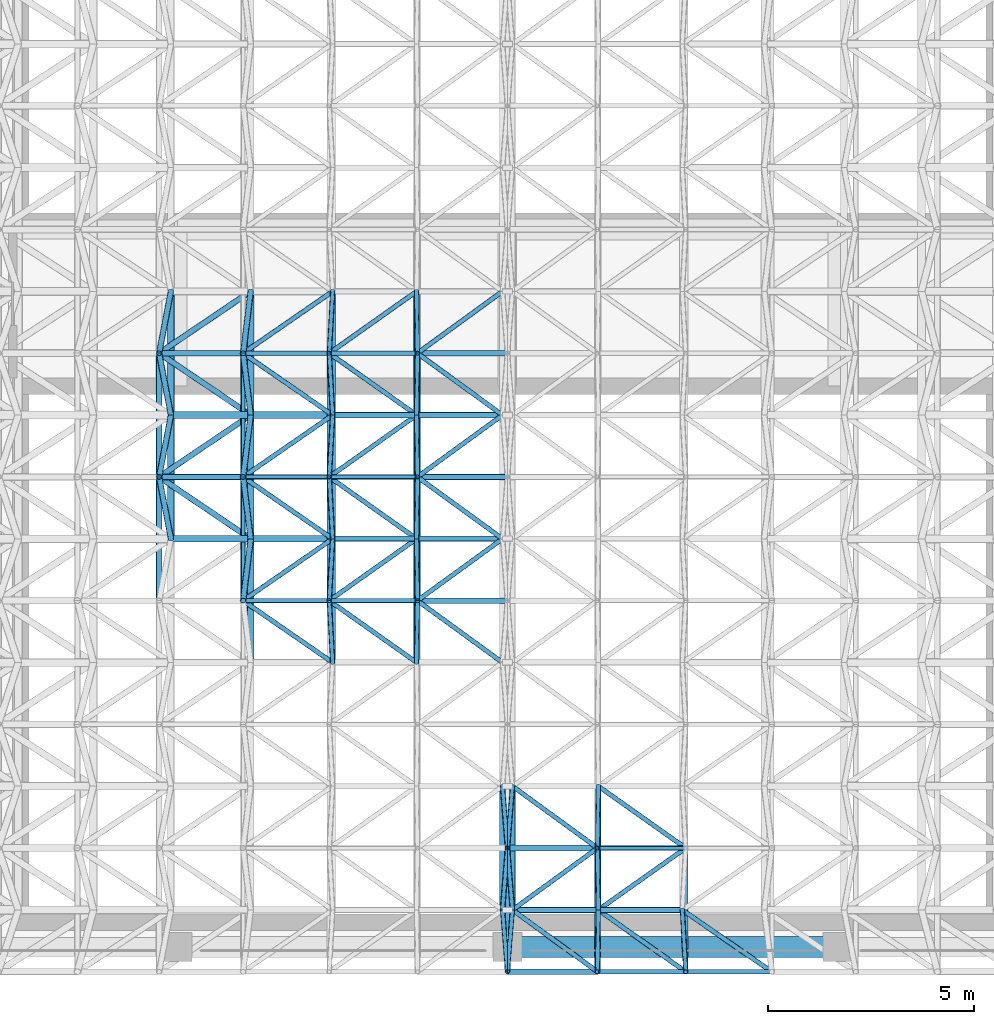
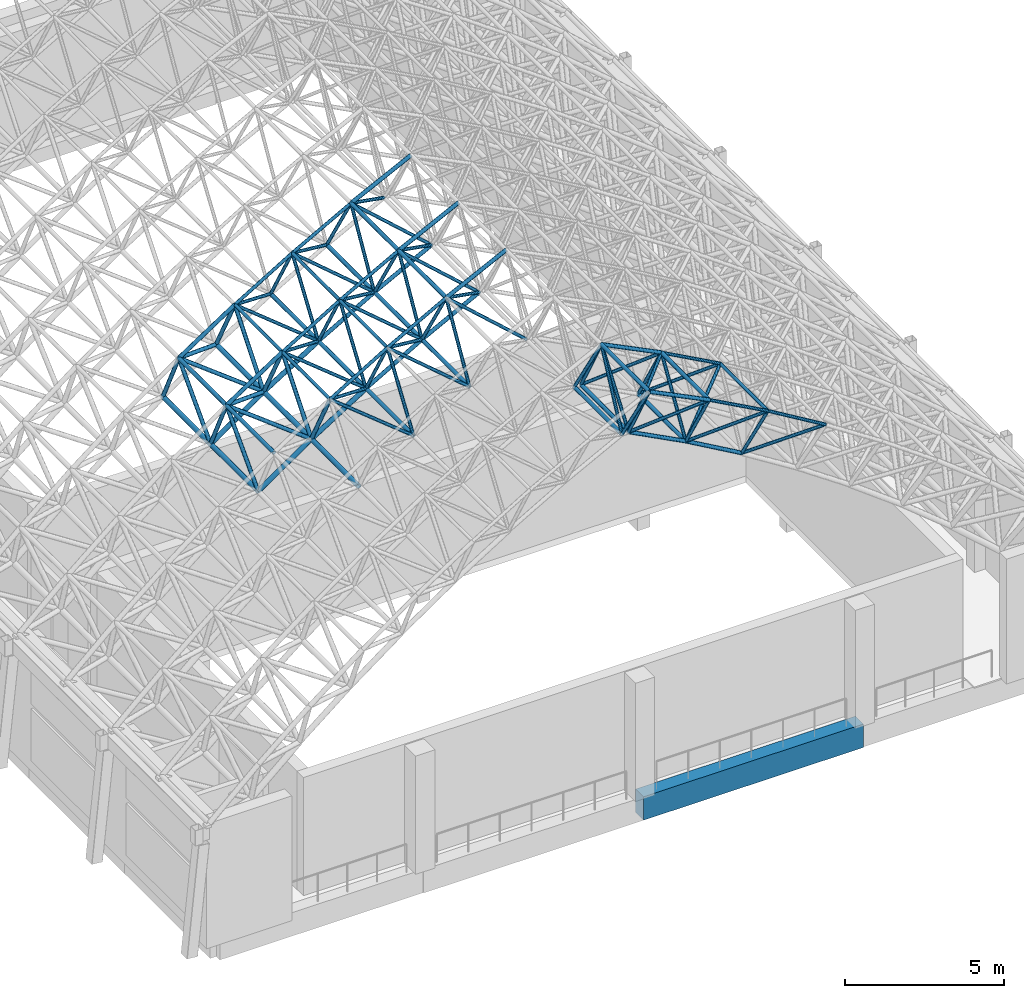
# One storey, part 11 of 141: 111 members, 1 beam.
"""IFC4 building model written with IfcOpenShell, lengths in metres."""

from ifc_helpers import new_model, si_unit, direction, frame, origin, origin_2d, place, context, subcontext, project, spatial, rectangle, hollow_circle, extrude, material, material_profile, profile_set, type_object, element, save


model = new_model("IFC4")

# Units and contexts
model_context = context("Model", 3, precision=1e-05, world=origin(), true_north=direction((0.0, 1.0)))
body_context = subcontext(model_context, "Body", "Model", "MODEL_VIEW")
ifc_project = project(units=[si_unit("LENGTHUNIT", "METRE"), si_unit("AREAUNIT", "SQUARE_METRE"), si_unit("VOLUMEUNIT", "CUBIC_METRE"), si_unit("PLANEANGLEUNIT", "RADIAN"), si_unit("MASSUNIT", "GRAM", prefix="KILO")], contexts=[model_context])

# Site, building, storey
site_placement = place(None, origin())
site = spatial("IfcSite", under=ifc_project, at=site_placement, CompositionType="ELEMENT")
building_placement = place(site_placement, origin())
building = spatial("IfcBuilding", under=site, at=building_placement, Name="Lantern Court Media Centre", CompositionType="ELEMENT")
storey_placement = place(building_placement, frame((0.0, 0.0, 9.60009765625)))
storey = spatial("IfcBuildingStorey", under=building, at=storey_placement, Name="L02", CompositionType="ELEMENT", Elevation=9.60009765625)

# Members
ifc_material_1 = material(Name="Steel S355J2 (EN 10025-2)", Category="steel")
ifc_material_profile_1 = material_profile(ifc_material_1, hollow_circle(Radius=0.06982421875, WallThickness=0.0048828125, at=origin_2d()), Name="Cinema Hall bottom CHS 139.7x5")
ifc_profile_set_1 = profile_set([ifc_material_profile_1], Name="Steel S355J2 (EN 10025-2)")
member_type_1 = type_object("IfcMemberType", Name="Cinema Hall bottom CHS 139.7x5", PredefinedType="CHORD", material=ifc_profile_set_1)
for number, where, z_axis, x_axis, name in (
    (1, (15.87939453125, -0.5, 13.298583984375), (0.0, 1.0, 0.0), (-1.0, 0.0, 0.0), "Cinema Hall bottom chord 08-01"),
    (2, (16.12060546875, -0.5, 13.298583984375), (0.0, 1.0, 0.0), (-1.0, 0.0, 0.0), "Cinema Hall bottom chord 09-01"),
):
    element("IfcMember", number, at=place(storey_placement, frame(where, z_axis=z_axis, x_axis=x_axis)), inside=storey, type_object=member_type_1, Name=name, PredefinedType="CHORD", context=body_context, shape_type="SweptSolid", body=[
        extrude(hollow_circle(Radius=0.06982421875, WallThickness=0.0048828125, at=origin_2d()), origin(), (0.0, 0.0, 1.0), 3.0),
    ])
ifc_material_profile_2 = material_profile(ifc_material_1, hollow_circle(Radius=0.06982421875, WallThickness=0.00634765625, at=origin_2d()), Name="Cinema Hall bottom CHS 139.7x6.3")
ifc_profile_set_2 = profile_set([ifc_material_profile_2], Name="Steel S355J2 (EN 10025-2)")
member_type_2 = type_object("IfcMemberType", Name="Cinema Hall bottom CHS 139.7x6.3", PredefinedType="CHORD", material=ifc_profile_set_2)
for number, where, z_axis, x_axis, name in (
    (3, (18.203125, -0.5, 12.21337890625), (0.0, 1.0, 0.0), (-1.0, 0.0, 0.0), "Cinema Hall bottom chord 10-01"),
    (4, (11.76025390625, 5.5, 11.04443359375), (0.0, 1.0, 0.0), (-1.0, 0.0, 0.0), "Cinema Hall bottom chord 06-03"),
    (5, (13.796875, 5.5, 12.21337890625), (0.0, 1.0, 0.0), (-1.0, 0.0, 0.0), "Cinema Hall bottom chord 07-03"),
    (6, (11.76025390625, 8.5, 11.04443359375), (0.0, 1.0, 0.0), (-1.0, 0.0, 0.0), "Cinema Hall bottom chord 06-04"),
    (7, (13.796875, 8.5, 12.21337890625), (0.0, 1.0, 0.0), (-1.0, 0.0, 0.0), "Cinema Hall bottom chord 07-04"),
    (8, (11.76025390625, 11.5, 11.04443359375), (0.0, 1.0, 0.0), (-1.0, 0.0, 0.0), "Cinema Hall bottom chord 06-05"),
    (9, (13.796875, 11.5, 12.21337890625), (0.0, 1.0, 0.0), (-1.0, 0.0, 0.0), "Cinema Hall bottom chord 07-05"),
):
    element("IfcMember", number, at=place(storey_placement, frame(where, z_axis=z_axis, x_axis=x_axis)), inside=storey, type_object=member_type_2, Name=name, PredefinedType="CHORD", context=body_context, shape_type="SweptSolid", body=[
        extrude(hollow_circle(Radius=0.06982421875, WallThickness=0.00634765625, at=origin_2d()), origin(), (0.0, 0.0, 1.0), 3.0),
    ])
member_1_placement = place(storey_placement, frame((16.12060546875, -0.5, 13.298583984375), z_axis=(0.88681645353, 0.0, -0.462121821329), x_axis=(0.0, 1.0, 0.0)))
element("IfcMember", 10, at=member_1_placement, inside=storey, type_object=member_type_2, Name="Cinema Hall bottom chord 09-01 across", PredefinedType="CHORD", context=body_context, shape_type="SweptSolid", body=[
    extrude(hollow_circle(Radius=0.06982421875, WallThickness=0.00634765625, at=origin_2d()), origin(), (0.0, 0.0, 1.0), 2.348388671875),
])
for number, where, z_axis, x_axis, name in (
    (11, (18.203125, -0.5, 12.21337890625), (0.867294659253, 0.0, -0.497795112503), (0.0, 1.0, 0.0), "Cinema Hall bottom chord 10-01 across"),
    (12, (11.76025390625, 8.5, 11.04443359375), (0.867294659253, 0.0, 0.497795112503), (0.0, 1.0, 0.0), "Cinema Hall bottom chord 06-04 across"),
):
    element("IfcMember", number, at=place(storey_placement, frame(where, z_axis=z_axis, x_axis=x_axis)), inside=storey, type_object=member_type_2, Name=name, PredefinedType="CHORD", context=body_context, shape_type="SweptSolid", body=[
        extrude(hollow_circle(Radius=0.06982421875, WallThickness=0.00634765625, at=origin_2d()), origin(), (0.0, 0.0, 1.0), 2.34814453125),
    ])
member_2_placement = place(storey_placement, frame((13.796875, 8.5, 12.21337890625), z_axis=(0.88681645353, 0.0, 0.462121821329), x_axis=(0.0, 1.0, 0.0)))
element("IfcMember", 13, at=member_2_placement, inside=storey, type_object=member_type_2, Name="Cinema Hall bottom chord 07-04 across", PredefinedType="CHORD", context=body_context, shape_type="SweptSolid", body=[
    extrude(hollow_circle(Radius=0.06982421875, WallThickness=0.00634765625, at=origin_2d()), origin(), (0.0, 0.0, 1.0), 2.348388671875),
])
member_3_placement = place(storey_placement, frame((11.76025390625, 11.5, 11.04443359375), z_axis=(0.867294659253, 0.0, 0.497795112503), x_axis=(0.0, 1.0, 0.0)))
element("IfcMember", 14, at=member_3_placement, inside=storey, type_object=member_type_2, Name="Cinema Hall bottom chord 06-05 across", PredefinedType="CHORD", context=body_context, shape_type="SweptSolid", body=[
    extrude(hollow_circle(Radius=0.06982421875, WallThickness=0.00634765625, at=origin_2d()), origin(), (0.0, 0.0, 1.0), 2.34814453125),
])
member_4_placement = place(storey_placement, frame((13.796875, 11.5, 12.21337890625), z_axis=(0.88681645353, 0.0, 0.462121821329), x_axis=(0.0, 1.0, 0.0)))
element("IfcMember", 15, at=member_4_placement, inside=storey, type_object=member_type_2, Name="Cinema Hall bottom chord 07-05 across", PredefinedType="CHORD", context=body_context, shape_type="SweptSolid", body=[
    extrude(hollow_circle(Radius=0.06982421875, WallThickness=0.00634765625, at=origin_2d()), origin(), (0.0, 0.0, 1.0), 2.348388671875),
])
ifc_material_profile_3 = material_profile(ifc_material_1, hollow_circle(Radius=0.084228515625, WallThickness=0.00634765625, at=origin_2d()), Name="Cinema Hall bottom CHS 168.3x6.3")
ifc_profile_set_3 = profile_set([ifc_material_profile_3], Name="Steel S355J2 (EN 10025-2)")
member_type_3 = type_object("IfcMemberType", Name="Cinema Hall bottom CHS 168.3x6.3", PredefinedType="CHORD", material=ifc_profile_set_3)
for number, where, z_axis, x_axis, name in (
    (16, (9.772705078125, 5.5, 9.7939453125), (0.0, 1.0, 0.0), (-1.0, 0.0, 0.0), "Cinema Hall bottom chord 05-03"),
    (17, (9.772705078125, 8.5, 9.7939453125), (0.0, 1.0, 0.0), (-1.0, 0.0, 0.0), "Cinema Hall bottom chord 05-04"),
    (18, (9.772705078125, 11.5, 9.7939453125), (0.0, 1.0, 0.0), (-1.0, 0.0, 0.0), "Cinema Hall bottom chord 05-05"),
):
    element("IfcMember", number, at=place(storey_placement, frame(where, z_axis=z_axis, x_axis=x_axis)), inside=storey, type_object=member_type_3, Name=name, PredefinedType="CHORD", context=body_context, shape_type="SweptSolid", body=[
        extrude(hollow_circle(Radius=0.084228515625, WallThickness=0.00634765625, at=origin_2d()), origin(), (0.0, 0.0, 1.0), 3.0),
    ])
for number, where, z_axis, x_axis, name in (
    (19, (9.772705078125, 8.5, 9.7939453125), (0.846411623189, 0.0, 0.532529214344), (0.0, 1.0, 0.0), "Cinema Hall bottom chord 05-04 across"),
    (20, (9.772705078125, 11.5, 9.7939453125), (0.846411623189, 0.0, 0.532529214344), (0.0, 1.0, 0.0), "Cinema Hall bottom chord 05-05 across"),
):
    element("IfcMember", number, at=place(storey_placement, frame(where, z_axis=z_axis, x_axis=x_axis)), inside=storey, type_object=member_type_3, Name=name, PredefinedType="CHORD", context=body_context, shape_type="SweptSolid", body=[
        extrude(hollow_circle(Radius=0.084228515625, WallThickness=0.00634765625, at=origin_2d()), origin(), (0.0, 0.0, 1.0), 2.34814453125),
    ])
ifc_material_profile_4 = material_profile(ifc_material_1, hollow_circle(Radius=0.084228515625, WallThickness=0.008056640625, at=origin_2d()), Name="Cinema Hall bottom CHS 168.3x8")
ifc_profile_set_4 = profile_set([ifc_material_profile_4], Name="Steel S355J2 (EN 10025-2)")
member_type_4 = type_object("IfcMemberType", Name="Cinema Hall bottom CHS 168.3x8", PredefinedType="CHORD", material=ifc_profile_set_4)
for number, where, z_axis, x_axis, name in (
    (21, (7.837646484375, 8.5, 8.463623046875), (0.0, 1.0, 0.0), (-1.0, 0.0, 0.0), "Cinema Hall bottom chord 04-04"),
    (22, (7.837646484375, 11.5, 8.463623046875), (0.0, 1.0, 0.0), (-1.0, 0.0, 0.0), "Cinema Hall bottom chord 04-05"),
):
    element("IfcMember", number, at=place(storey_placement, frame(where, z_axis=z_axis, x_axis=x_axis)), inside=storey, type_object=member_type_4, Name=name, PredefinedType="CHORD", context=body_context, shape_type="SweptSolid", body=[
        extrude(hollow_circle(Radius=0.084228515625, WallThickness=0.008056640625, at=origin_2d()), origin(), (0.0, 0.0, 1.0), 3.0),
    ])
for number, where, z_axis, x_axis, name in (
    (23, (7.837646484375, 8.5, 8.463623046875), (0.824047991233, 0.0, 0.56651999801), (0.0, 1.0, 0.0), "Cinema Hall bottom chord 04-04 across"),
    (24, (7.837646484375, 11.5, 8.463623046875), (0.824047991233, 0.0, 0.56651999801), (0.0, 1.0, 0.0), "Cinema Hall bottom chord 04-05 across"),
):
    element("IfcMember", number, at=place(storey_placement, frame(where, z_axis=z_axis, x_axis=x_axis)), inside=storey, type_object=member_type_4, Name=name, PredefinedType="CHORD", context=body_context, shape_type="SweptSolid", body=[
        extrude(hollow_circle(Radius=0.084228515625, WallThickness=0.008056640625, at=origin_2d()), origin(), (0.0, 0.0, 1.0), 2.34814453125),
    ])
ifc_material_profile_5 = material_profile(ifc_material_1, hollow_circle(Radius=0.05712890625, WallThickness=0.0048828125, at=origin_2d()), Name="Cinema Hall diagonal CHS 114.3x5")
ifc_profile_set_5 = profile_set([ifc_material_profile_5], Name="Steel S355J2 (EN 10025-2)")
member_type_5 = type_object("IfcMemberType", Name="Cinema Hall diagonal CHS 114.3x5", PredefinedType="BRACE", material=ifc_profile_set_5)
for number, where, z_axis, x_axis, name in (
    (25, (15.87939453125, -0.5, 13.298583984375), (0.041317175069, -0.513871910171, 0.85687137365), (0.996783215266, 0.080145004613, 0.0), "Cinema Hall diagonal 08-01-2"),
    (26, (15.87939453125, -0.5, 13.298583984375), (0.041317175069, 0.513871910171, 0.85687137365), (-0.996783215266, 0.080145004613, 0.0), "Cinema Hall diagonal 08-01-3"),
    (27, (16.12060546875, -0.5, 13.298583984375), (-0.041317175069, -0.513871910171, 0.85687137365), (0.996783215266, -0.080145004613, 0.0), "Cinema Hall diagonal 09-01-1"),
):
    element("IfcMember", number, at=place(storey_placement, frame(where, z_axis=z_axis, x_axis=x_axis)), inside=storey, type_object=member_type_5, Name=name, PredefinedType="BRACE", context=body_context, shape_type="SweptSolid", body=[
        extrude(hollow_circle(Radius=0.05712890625, WallThickness=0.0048828125, at=origin_2d()), origin(), (0.0, 0.0, 1.0), 2.9189453125),
    ])
for number, where, z_axis, x_axis, name in (
    (28, (16.12060546875, -0.5, 13.298583984375), (0.706879781117, -0.513851085564, 0.486084392789), (0.587989591395, 0.808868493892, 0.0), "Cinema Hall diagonal 09-01-2"),
    (29, (16.12060546875, -0.5, 13.298583984375), (0.706879781117, 0.513851085564, 0.486084392789), (-0.587989591395, 0.808868493892, 0.0), "Cinema Hall diagonal 09-01-3"),
):
    element("IfcMember", number, at=place(storey_placement, frame(where, z_axis=z_axis, x_axis=x_axis)), inside=storey, type_object=member_type_5, Name=name, PredefinedType="BRACE", context=body_context, shape_type="SweptSolid", body=[
        extrude(hollow_circle(Radius=0.05712890625, WallThickness=0.0048828125, at=origin_2d()), origin(), (0.0, 0.0, 1.0), 2.919189453125),
    ])
for number, where, z_axis, x_axis, name in (
    (30, (16.12060546875, -0.5, 13.298583984375), (-0.041317175069, 0.513871910171, 0.85687137365), (-0.996783215266, -0.080145004613, 0.0), "Cinema Hall diagonal 09-01-4"),
    (31, (15.87939453125, 2.5, 13.298583984375), (0.041317175069, -0.513871910171, 0.85687137365), (0.996783215266, 0.080145004613, 0.0), "Cinema Hall diagonal 08-02-2"),
    (32, (16.12060546875, 2.5, 13.298583984375), (-0.041317175069, -0.513871910171, 0.85687137365), (0.996783215266, -0.080145004613, 0.0), "Cinema Hall diagonal 09-02-1"),
):
    element("IfcMember", number, at=place(storey_placement, frame(where, z_axis=z_axis, x_axis=x_axis)), inside=storey, type_object=member_type_5, Name=name, PredefinedType="BRACE", context=body_context, shape_type="SweptSolid", body=[
        extrude(hollow_circle(Radius=0.05712890625, WallThickness=0.0048828125, at=origin_2d()), origin(), (0.0, 0.0, 1.0), 2.9189453125),
    ])
for number, where, z_axis, x_axis, name in (
    (33, (16.12060546875, 2.5, 13.298583984375), (0.706879781117, -0.513851085564, 0.486084392789), (0.587989591395, 0.808868493892, 0.0), "Cinema Hall diagonal 09-02-2"),
    (34, (15.87939453125, 5.5, 13.298583984375), (-0.706879781117, 0.513851085564, 0.486084392789), (-0.587989591395, -0.808868493892, 0.0), "Cinema Hall diagonal 08-03-4"),
    (35, (15.87939453125, 8.5, 13.298583984375), (-0.706879781117, -0.513851085564, 0.486084392789), (0.587989591395, -0.808868493892, 0.0), "Cinema Hall diagonal 08-04-1"),
    (36, (15.87939453125, 8.5, 13.298583984375), (-0.706879781117, 0.513851085564, 0.486084392789), (-0.587989591395, -0.808868493892, 0.0), "Cinema Hall diagonal 08-04-4"),
    (37, (15.87939453125, 11.5, 13.298583984375), (-0.706879781117, -0.513851085564, 0.486084392789), (0.587989591395, -0.808868493892, 0.0), "Cinema Hall diagonal 08-05-1"),
    (38, (15.87939453125, 11.5, 13.298583984375), (-0.706879781117, 0.513851085564, 0.486084392789), (-0.587989591395, -0.808868493892, 0.0), "Cinema Hall diagonal 08-05-4"),
    (39, (15.87939453125, 14.5, 13.298583984375), (-0.706879781117, -0.513851085564, 0.486084392789), (0.587989591395, -0.808868493892, 0.0), "Cinema Hall diagonal 08-06-1"),
):
    element("IfcMember", number, at=place(storey_placement, frame(where, z_axis=z_axis, x_axis=x_axis)), inside=storey, type_object=member_type_5, Name=name, PredefinedType="BRACE", context=body_context, shape_type="SweptSolid", body=[
        extrude(hollow_circle(Radius=0.05712890625, WallThickness=0.0048828125, at=origin_2d()), origin(), (0.0, 0.0, 1.0), 2.919189453125),
    ])
ifc_material_profile_6 = material_profile(ifc_material_1, hollow_circle(Radius=0.05712890625, WallThickness=0.00634765625, at=origin_2d()), Name="Cinema Hall diagonal CHS 114.3x6.3")
ifc_profile_set_6 = profile_set([ifc_material_profile_6], Name="Steel S355J2 (EN 10025-2)")
member_type_6 = type_object("IfcMemberType", Name="Cinema Hall diagonal CHS 114.3x6.3", PredefinedType="BRACE", material=ifc_profile_set_6)
for number, where, z_axis, x_axis, name in (
    (40, (18.203125, -0.5, 12.21337890625), (-0.006523580306, -0.513857402591, 0.857850810283), (0.99991942426, -0.012694289566, 0.0), "Cinema Hall diagonal 10-01-1"),
    (41, (18.203125, -0.5, 12.21337890625), (0.726033609038, -0.513852147671, 0.456980490702), (0.577701627838, 0.816248019411, 0.0), "Cinema Hall diagonal 10-01-2"),
    (42, (18.203125, -0.5, 12.21337890625), (0.726033609038, 0.513852147671, 0.456980490702), (-0.577701627838, 0.816248019411, 0.0), "Cinema Hall diagonal 10-01-3"),
    (43, (18.203125, -0.5, 12.21337890625), (-0.006523580306, 0.513857402591, 0.857850810283), (-0.99991942426, -0.012694289566, 0.0), "Cinema Hall diagonal 10-01-4"),
    (44, (20.23974609375, -0.5, 11.04443359375), (0.028351859734, -0.513846095007, 0.857413763999), (0.998481283351, 0.055091984872, 0.0), "Cinema Hall diagonal 11-01-1"),
    (45, (20.23974609375, -0.5, 11.04443359375), (0.744001537395, -0.513842788417, 0.427115091218), (0.568286154794, 0.822830994962, 0.0), "Cinema Hall diagonal 11-01-2"),
    (46, (18.203125, 2.5, 12.21337890625), (-0.006523580306, -0.513857402591, 0.857850810283), (0.99991942426, -0.012694289566, 0.0), "Cinema Hall diagonal 10-02-1"),
    (47, (18.203125, 2.5, 12.21337890625), (0.726033609038, -0.513852147671, 0.456980490702), (0.577701627838, 0.816248019411, 0.0), "Cinema Hall diagonal 10-02-2"),
    (48, (11.76025390625, 5.5, 11.04443359375), (-0.028351859734, 0.513846095007, 0.857413763999), (-0.998481283351, -0.055091984872, 0.0), "Cinema Hall diagonal 06-03-3"),
    (49, (11.76025390625, 5.5, 11.04443359375), (-0.744001537395, 0.513842788417, 0.427115091218), (-0.568286154794, -0.822830994962, 0.0), "Cinema Hall diagonal 06-03-4"),
    (50, (13.796875, 5.5, 12.21337890625), (0.006523580306, 0.513857402591, 0.857850810283), (-0.99991942426, 0.012694289566, 0.0), "Cinema Hall diagonal 07-03-3"),
    (51, (13.796875, 5.5, 12.21337890625), (-0.726033609038, 0.513852147671, 0.456980490702), (-0.577701627838, -0.816248019411, 0.0), "Cinema Hall diagonal 07-03-4"),
    (52, (11.76025390625, 8.5, 11.04443359375), (-0.744001537395, -0.513842788417, 0.427115091218), (0.568286154794, -0.822830994962, 0.0), "Cinema Hall diagonal 06-04-1"),
    (53, (11.76025390625, 8.5, 11.04443359375), (-0.028351859734, -0.513846095007, 0.857413763999), (0.998481283351, -0.055091984872, 0.0), "Cinema Hall diagonal 06-04-2"),
    (54, (11.76025390625, 8.5, 11.04443359375), (-0.028351859734, 0.513846095007, 0.857413763999), (-0.998481283351, -0.055091984872, 0.0), "Cinema Hall diagonal 06-04-3"),
    (55, (11.76025390625, 8.5, 11.04443359375), (-0.744001537395, 0.513842788417, 0.427115091218), (-0.568286154794, -0.822830994962, 0.0), "Cinema Hall diagonal 06-04-4"),
    (56, (13.796875, 8.5, 12.21337890625), (-0.726033609038, -0.513852147671, 0.456980490702), (0.577701627838, -0.816248019411, 0.0), "Cinema Hall diagonal 07-04-1"),
    (57, (13.796875, 8.5, 12.21337890625), (0.006523580306, -0.513857402591, 0.857850810283), (0.99991942426, 0.012694289566, 0.0), "Cinema Hall diagonal 07-04-2"),
    (58, (13.796875, 8.5, 12.21337890625), (0.006523580306, 0.513857402591, 0.857850810283), (-0.99991942426, 0.012694289566, 0.0), "Cinema Hall diagonal 07-04-3"),
    (59, (13.796875, 8.5, 12.21337890625), (-0.726033609038, 0.513852147671, 0.456980490702), (-0.577701627838, -0.816248019411, 0.0), "Cinema Hall diagonal 07-04-4"),
    (60, (11.76025390625, 11.5, 11.04443359375), (-0.744001537395, -0.513842788417, 0.427115091218), (0.568286154794, -0.822830994962, 0.0), "Cinema Hall diagonal 06-05-1"),
    (61, (11.76025390625, 11.5, 11.04443359375), (-0.028351859734, -0.513846095007, 0.857413763999), (0.998481283351, -0.055091984872, 0.0), "Cinema Hall diagonal 06-05-2"),
    (62, (11.76025390625, 11.5, 11.04443359375), (-0.028351859734, 0.513846095007, 0.857413763999), (-0.998481283351, -0.055091984872, 0.0), "Cinema Hall diagonal 06-05-3"),
    (63, (11.76025390625, 11.5, 11.04443359375), (-0.744001537395, 0.513842788417, 0.427115091218), (-0.568286154794, -0.822830994962, 0.0), "Cinema Hall diagonal 06-05-4"),
    (64, (13.796875, 11.5, 12.21337890625), (-0.726033609038, -0.513852147671, 0.456980490702), (0.577701627838, -0.816248019411, 0.0), "Cinema Hall diagonal 07-05-1"),
    (65, (13.796875, 11.5, 12.21337890625), (0.006523580306, -0.513857402591, 0.857850810283), (0.99991942426, 0.012694289566, 0.0), "Cinema Hall diagonal 07-05-2"),
    (66, (13.796875, 11.5, 12.21337890625), (0.006523580306, 0.513857402591, 0.857850810283), (-0.99991942426, 0.012694289566, 0.0), "Cinema Hall diagonal 07-05-3"),
    (67, (13.796875, 11.5, 12.21337890625), (-0.726033609038, 0.513852147671, 0.456980490702), (-0.577701627838, -0.816248019411, 0.0), "Cinema Hall diagonal 07-05-4"),
    (68, (11.76025390625, 14.5, 11.04443359375), (-0.744001537395, -0.513842788417, 0.427115091218), (0.568286154794, -0.822830994962, 0.0), "Cinema Hall diagonal 06-06-1"),
    (69, (11.76025390625, 14.5, 11.04443359375), (-0.028351859734, -0.513846095007, 0.857413763999), (0.998481283351, -0.055091984872, 0.0), "Cinema Hall diagonal 06-06-2"),
    (70, (13.796875, 14.5, 12.21337890625), (-0.726033609038, -0.513852147671, 0.456980490702), (0.577701627838, -0.816248019411, 0.0), "Cinema Hall diagonal 07-06-1"),
    (71, (13.796875, 14.5, 12.21337890625), (0.006523580306, -0.513857402591, 0.857850810283), (0.99991942426, 0.012694289566, 0.0), "Cinema Hall diagonal 07-06-2"),
):
    element("IfcMember", number, at=place(storey_placement, frame(where, z_axis=z_axis, x_axis=x_axis)), inside=storey, type_object=member_type_6, Name=name, PredefinedType="BRACE", context=body_context, shape_type="SweptSolid", body=[
        extrude(hollow_circle(Radius=0.05712890625, WallThickness=0.00634765625, at=origin_2d()), origin(), (0.0, 0.0, 1.0), 2.919189453125),
    ])
ifc_material_profile_7 = material_profile(ifc_material_1, hollow_circle(Radius=0.06982421875, WallThickness=0.00634765625, at=origin_2d()), Name="Cinema Hall diagonal CHS 139.7x6.3")
ifc_profile_set_7 = profile_set([ifc_material_profile_7], Name="Steel S355J2 (EN 10025-2)")
member_type_7 = type_object("IfcMemberType", Name="Cinema Hall diagonal CHS 139.7x6.3", PredefinedType="BRACE", material=ifc_profile_set_7)
for number, where, z_axis, x_axis, name in (
    (72, (9.772705078125, 8.5, 9.7939453125), (-0.063147046974, -0.513874776966, 0.855537938409), (0.992534194664, -0.121966685705, 0.0), "Cinema Hall diagonal 05-04-2"),
    (73, (9.772705078125, 8.5, 9.7939453125), (-0.063147046974, 0.513874776966, 0.855537938409), (-0.992534194664, -0.121966685705, 0.0), "Cinema Hall diagonal 05-04-3"),
):
    element("IfcMember", number, at=place(storey_placement, frame(where, z_axis=z_axis, x_axis=x_axis)), inside=storey, type_object=member_type_7, Name=name, PredefinedType="BRACE", context=body_context, shape_type="SweptSolid", body=[
        extrude(hollow_circle(Radius=0.06982421875, WallThickness=0.00634765625, at=origin_2d()), origin(), (0.0, 0.0, 1.0), 2.9189453125),
    ])
for number, where, z_axis, x_axis, name in (
    (74, (9.772705078125, 8.5, 9.7939453125), (-0.760744068819, 0.513853513503, 0.396513591718), (-0.559735691147, -0.828671199003, 0.0), "Cinema Hall diagonal 05-04-4"),
    (75, (9.772705078125, 11.5, 9.7939453125), (-0.760744068819, -0.513853513503, 0.396513591718), (0.559735691147, -0.828671199003, 0.0), "Cinema Hall diagonal 05-05-1"),
):
    element("IfcMember", number, at=place(storey_placement, frame(where, z_axis=z_axis, x_axis=x_axis)), inside=storey, type_object=member_type_7, Name=name, PredefinedType="BRACE", context=body_context, shape_type="SweptSolid", body=[
        extrude(hollow_circle(Radius=0.06982421875, WallThickness=0.00634765625, at=origin_2d()), origin(), (0.0, 0.0, 1.0), 2.919189453125),
    ])
for number, where, z_axis, x_axis, name in (
    (76, (9.772705078125, 11.5, 9.7939453125), (-0.063147046974, -0.513874776966, 0.855537938409), (0.992534194664, -0.121966685705, 0.0), "Cinema Hall diagonal 05-05-2"),
    (77, (9.772705078125, 11.5, 9.7939453125), (-0.063147046974, 0.513874776966, 0.855537938409), (-0.992534194664, -0.121966685705, 0.0), "Cinema Hall diagonal 05-05-3"),
):
    element("IfcMember", number, at=place(storey_placement, frame(where, z_axis=z_axis, x_axis=x_axis)), inside=storey, type_object=member_type_7, Name=name, PredefinedType="BRACE", context=body_context, shape_type="SweptSolid", body=[
        extrude(hollow_circle(Radius=0.06982421875, WallThickness=0.00634765625, at=origin_2d()), origin(), (0.0, 0.0, 1.0), 2.9189453125),
    ])
for number, where, z_axis, x_axis, name in (
    (78, (9.772705078125, 11.5, 9.7939453125), (-0.760744068819, 0.513853513503, 0.396513591718), (-0.559735691147, -0.828671199003, 0.0), "Cinema Hall diagonal 05-05-4"),
    (79, (9.772705078125, 14.5, 9.7939453125), (-0.760744068819, -0.513853513503, 0.396513591718), (0.559735691147, -0.828671199003, 0.0), "Cinema Hall diagonal 05-06-1"),
):
    element("IfcMember", number, at=place(storey_placement, frame(where, z_axis=z_axis, x_axis=x_axis)), inside=storey, type_object=member_type_7, Name=name, PredefinedType="BRACE", context=body_context, shape_type="SweptSolid", body=[
        extrude(hollow_circle(Radius=0.06982421875, WallThickness=0.00634765625, at=origin_2d()), origin(), (0.0, 0.0, 1.0), 2.919189453125),
    ])
member_5_placement = place(storey_placement, frame((9.772705078125, 14.5, 9.7939453125), z_axis=(-0.063147046974, -0.513874776966, 0.855537938409), x_axis=(0.992534194664, -0.121966685705, 0.0)))
element("IfcMember", 80, at=member_5_placement, inside=storey, type_object=member_type_7, Name="Cinema Hall diagonal 05-06-2", PredefinedType="BRACE", context=body_context, shape_type="SweptSolid", body=[
    extrude(hollow_circle(Radius=0.06982421875, WallThickness=0.00634765625, at=origin_2d()), origin(), (0.0, 0.0, 1.0), 2.9189453125),
])
ifc_material_profile_8 = material_profile(ifc_material_1, hollow_circle(Radius=0.06982421875, WallThickness=0.008056640625, at=origin_2d()), Name="Cinema Hall diagonal CHS 139.7x8")
ifc_profile_set_8 = profile_set([ifc_material_profile_8], Name="Steel S355J2 (EN 10025-2)")
member_type_8 = type_object("IfcMemberType", Name="Cinema Hall diagonal CHS 139.7x8", PredefinedType="BRACE", material=ifc_profile_set_8)
for number, where, z_axis, x_axis, name in (
    (81, (7.837646484375, 8.5, 8.463623046875), (-0.09785614588, 0.51387022247, 0.852268484207), (-0.982346962135, -0.187068025016, 0.0), "Cinema Hall diagonal 04-04-3"),
    (82, (7.837646484375, 11.5, 8.463623046875), (-0.09785614588, -0.51387022247, 0.852268484207), (0.982346962135, -0.187068025016, 0.0), "Cinema Hall diagonal 04-05-2"),
    (83, (7.837646484375, 11.5, 8.463623046875), (-0.09785614588, 0.51387022247, 0.852268484207), (-0.982346962135, -0.187068025016, 0.0), "Cinema Hall diagonal 04-05-3"),
    (84, (7.837646484375, 14.5, 8.463623046875), (-0.09785614588, -0.51387022247, 0.852268484207), (0.982346962135, -0.187068025016, 0.0), "Cinema Hall diagonal 04-06-2"),
):
    element("IfcMember", number, at=place(storey_placement, frame(where, z_axis=z_axis, x_axis=x_axis)), inside=storey, type_object=member_type_8, Name=name, PredefinedType="BRACE", context=body_context, shape_type="SweptSolid", body=[
        extrude(hollow_circle(Radius=0.06982421875, WallThickness=0.008056640625, at=origin_2d()), origin(), (0.0, 0.0, 1.0), 2.9189453125),
    ])
ifc_material_profile_9 = material_profile(ifc_material_1, hollow_circle(Radius=0.05712890625, WallThickness=0.00634765625, at=origin_2d()), Name="Cinema Hall top CHS 114.3x6.3")
ifc_profile_set_9 = profile_set([ifc_material_profile_9], Name="Steel S355J2 (EN 10025-2)")
member_type_9 = type_object("IfcMemberType", Name="Cinema Hall top CHS 114.3x6.3", PredefinedType="CHORD", material=ifc_profile_set_9)
for number, where, z_axis, x_axis, name in (
    (85, (20.322509765625, -2.0, 13.54736328125), (0.0, 1.0, 0.0), (-1.0, 0.0, 0.0), "Cinema Hall top chord 11-01"),
    (86, (9.58837890625, 7.0, 12.291259765625), (0.0, 1.0, 0.0), (-1.0, 0.0, 0.0), "Cinema Hall top chord 06-04"),
    (87, (11.677490234375, 7.0, 13.54736328125), (0.0, 1.0, 0.0), (-1.0, 0.0, 0.0), "Cinema Hall top chord 07-04"),
    (88, (9.58837890625, 10.0, 12.291259765625), (0.0, 1.0, 0.0), (-1.0, 0.0, 0.0), "Cinema Hall top chord 06-05"),
    (89, (11.677490234375, 10.0, 13.54736328125), (0.0, 1.0, 0.0), (-1.0, 0.0, 0.0), "Cinema Hall top chord 07-05"),
):
    element("IfcMember", number, at=place(storey_placement, frame(where, z_axis=z_axis, x_axis=x_axis)), inside=storey, type_object=member_type_9, Name=name, PredefinedType="CHORD", context=body_context, shape_type="SweptSolid", body=[
        extrude(hollow_circle(Radius=0.05712890625, WallThickness=0.00634765625, at=origin_2d()), origin(), (0.0, 0.0, 1.0), 3.0),
    ])
for number, where, z_axis, x_axis, name in (
    (90, (18.18408203125, -2.0, 14.717529296875), (0.87724791815, 0.0, -0.480037592384), (0.0, 1.0, 0.0), "Cinema Hall top chord 10-01 across"),
    (91, (20.322509765625, -2.0, 13.54736328125), (0.857015353865, 0.0, -0.515290872459), (0.0, 1.0, 0.0), "Cinema Hall top chord 11-01 across"),
    (92, (18.18408203125, 1.0, 14.717529296875), (0.87724791815, 0.0, -0.480037592384), (0.0, 1.0, 0.0), "Cinema Hall top chord 10-02 across"),
    (93, (9.58837890625, 7.0, 12.291259765625), (0.857015353865, 0.0, 0.515290872459), (0.0, 1.0, 0.0), "Cinema Hall top chord 06-04 across"),
    (94, (11.677490234375, 7.0, 13.54736328125), (0.87724791815, 0.0, 0.480037592384), (0.0, 1.0, 0.0), "Cinema Hall top chord 07-04 across"),
    (95, (9.58837890625, 10.0, 12.291259765625), (0.857015353865, 0.0, 0.515290872459), (0.0, 1.0, 0.0), "Cinema Hall top chord 06-05 across"),
    (96, (11.677490234375, 10.0, 13.54736328125), (0.87724791815, 0.0, 0.480037592384), (0.0, 1.0, 0.0), "Cinema Hall top chord 07-05 across"),
    (97, (9.58837890625, 13.0, 12.291259765625), (0.857015353865, 0.0, 0.515290872459), (0.0, 1.0, 0.0), "Cinema Hall top chord 06-06 across"),
    (98, (11.677490234375, 13.0, 13.54736328125), (0.87724791815, 0.0, 0.480037592384), (0.0, 1.0, 0.0), "Cinema Hall top chord 07-06 across"),
):
    element("IfcMember", number, at=place(storey_placement, frame(where, z_axis=z_axis, x_axis=x_axis)), inside=storey, type_object=member_type_9, Name=name, PredefinedType="CHORD", context=body_context, shape_type="SweptSolid", body=[
        extrude(hollow_circle(Radius=0.05712890625, WallThickness=0.00634765625, at=origin_2d()), origin(), (0.0, 0.0, 1.0), 2.437744140625),
    ])
ifc_material_profile_10 = material_profile(ifc_material_1, hollow_circle(Radius=0.06982421875, WallThickness=0.0048828125, at=origin_2d()), Name="Cinema Hall top CHS 139.7x5")
ifc_profile_set_10 = profile_set([ifc_material_profile_10], Name="Steel S355J2 (EN 10025-2)")
member_type_10 = type_object("IfcMemberType", Name="Cinema Hall top CHS 139.7x5", PredefinedType="CHORD", material=ifc_profile_set_10)
for number, where, z_axis, x_axis, name in (
    (99, (16.0, -2.0, 15.7998046875), (0.0, 1.0, 0.0), (-1.0, 0.0, 0.0), "Cinema Hall top chord 09-01"),
    (100, (18.18408203125, -2.0, 14.717529296875), (0.0, 1.0, 0.0), (-1.0, 0.0, 0.0), "Cinema Hall top chord 10-01"),
    (101, (13.81591796875, 7.0, 14.717529296875), (0.0, 1.0, 0.0), (-1.0, 0.0, 0.0), "Cinema Hall top chord 08-04"),
    (102, (13.81591796875, 10.0, 14.717529296875), (0.0, 1.0, 0.0), (-1.0, 0.0, 0.0), "Cinema Hall top chord 08-05"),
):
    element("IfcMember", number, at=place(storey_placement, frame(where, z_axis=z_axis, x_axis=x_axis)), inside=storey, type_object=member_type_10, Name=name, PredefinedType="CHORD", context=body_context, shape_type="SweptSolid", body=[
        extrude(hollow_circle(Radius=0.06982421875, WallThickness=0.0048828125, at=origin_2d()), origin(), (0.0, 0.0, 1.0), 3.0),
    ])
for number, where, z_axis, x_axis, name in (
    (103, (16.0, -2.0, 15.7998046875), (0.896023995237, 0.0, -0.444005630549), (0.0, 1.0, 0.0), "Cinema Hall top chord 09-01 across"),
    (104, (16.0, 1.0, 15.7998046875), (0.896023995237, 0.0, -0.444005630549), (0.0, 1.0, 0.0), "Cinema Hall top chord 09-02 across"),
    (105, (13.81591796875, 7.0, 14.717529296875), (0.896023995237, 0.0, 0.444005630549), (0.0, 1.0, 0.0), "Cinema Hall top chord 08-04 across"),
    (106, (13.81591796875, 10.0, 14.717529296875), (0.896023995237, 0.0, 0.444005630549), (0.0, 1.0, 0.0), "Cinema Hall top chord 08-05 across"),
    (107, (13.81591796875, 13.0, 14.717529296875), (0.896023995237, 0.0, 0.444005630549), (0.0, 1.0, 0.0), "Cinema Hall top chord 08-06 across"),
):
    element("IfcMember", number, at=place(storey_placement, frame(where, z_axis=z_axis, x_axis=x_axis)), inside=storey, type_object=member_type_10, Name=name, PredefinedType="CHORD", context=body_context, shape_type="SweptSolid", body=[
        extrude(hollow_circle(Radius=0.06982421875, WallThickness=0.0048828125, at=origin_2d()), origin(), (0.0, 0.0, 1.0), 2.4375),
    ])
ifc_material_profile_11 = material_profile(ifc_material_1, hollow_circle(Radius=0.06982421875, WallThickness=0.00634765625, at=origin_2d()), Name="Cinema Hall top CHS 139.7x6.3")
ifc_profile_set_11 = profile_set([ifc_material_profile_11], Name="Steel S355J2 (EN 10025-2)")
member_type_11 = type_object("IfcMemberType", Name="Cinema Hall top CHS 139.7x6.3", PredefinedType="CHORD", material=ifc_profile_set_11)
for number, where, z_axis, x_axis, name in (
    (108, (7.552001953125, 7.0, 10.951416015625), (0.0, 1.0, 0.0), (-1.0, 0.0, 0.0), "Cinema Hall top chord 05-04"),
    (109, (7.552001953125, 10.0, 10.951416015625), (0.0, 1.0, 0.0), (-1.0, 0.0, 0.0), "Cinema Hall top chord 05-05"),
):
    element("IfcMember", number, at=place(storey_placement, frame(where, z_axis=z_axis, x_axis=x_axis)), inside=storey, type_object=member_type_11, Name=name, PredefinedType="CHORD", context=body_context, shape_type="SweptSolid", body=[
        extrude(hollow_circle(Radius=0.06982421875, WallThickness=0.00634765625, at=origin_2d()), origin(), (0.0, 0.0, 1.0), 3.0),
    ])
for number, where, z_axis, x_axis, name in (
    (110, (7.552001953125, 10.0, 10.951416015625), (0.835394087943, 0.0, 0.549651451221), (0.0, 1.0, 0.0), "Cinema Hall top chord 05-05 across"),
    (111, (7.552001953125, 13.0, 10.951416015625), (0.835394087943, 0.0, 0.549651451221), (0.0, 1.0, 0.0), "Cinema Hall top chord 05-06 across"),
):
    element("IfcMember", number, at=place(storey_placement, frame(where, z_axis=z_axis, x_axis=x_axis)), inside=storey, type_object=member_type_11, Name=name, PredefinedType="CHORD", context=body_context, shape_type="SweptSolid", body=[
        extrude(hollow_circle(Radius=0.06982421875, WallThickness=0.00634765625, at=origin_2d()), origin(), (0.0, 0.0, 1.0), 2.437744140625),
    ])

# Beam
ifc_material_2 = material(Name="Concrete C35", Category="concrete")
ifc_material_profile_12 = material_profile(ifc_material_2, rectangle(XDim=0.5, YDim=0.89990234375, at=origin_2d()), Name="RC 500x900")
ifc_profile_set_12 = profile_set([ifc_material_profile_12], Name="Concrete C35")
beam_type = type_object("IfcBeamType", Name="RC BEAM 500x900", PredefinedType="BEAM", material=ifc_profile_set_12)
beam_placement = place(storey_placement, frame((16.0, -1.39990234375, -0.4501953125), z_axis=(1.0, 0.0, 0.0), x_axis=(0.0, 1.0, 0.0)))
element("IfcBeam", 112, at=beam_placement, inside=storey, type_object=beam_type, Name="HB-V1-L02-FX0-2", PredefinedType="BEAM", context=body_context, shape_type="SweptSolid", body=[
    extrude(rectangle(XDim=0.5, YDim=0.89990234375, at=origin_2d()), origin(), (0.0, 0.0, 1.0), 8.0),
])

save(model, "model.ifc")
